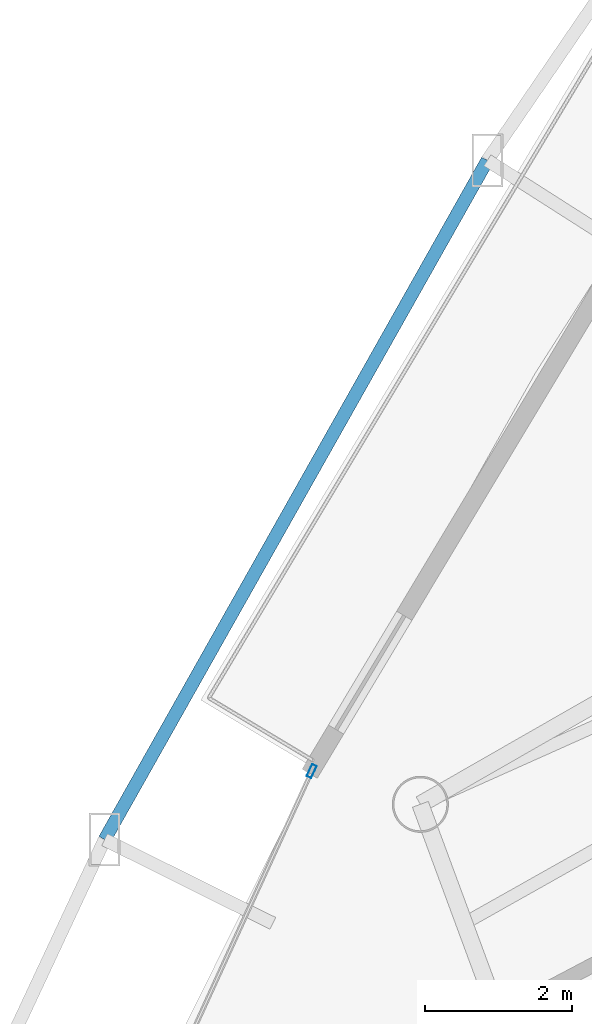
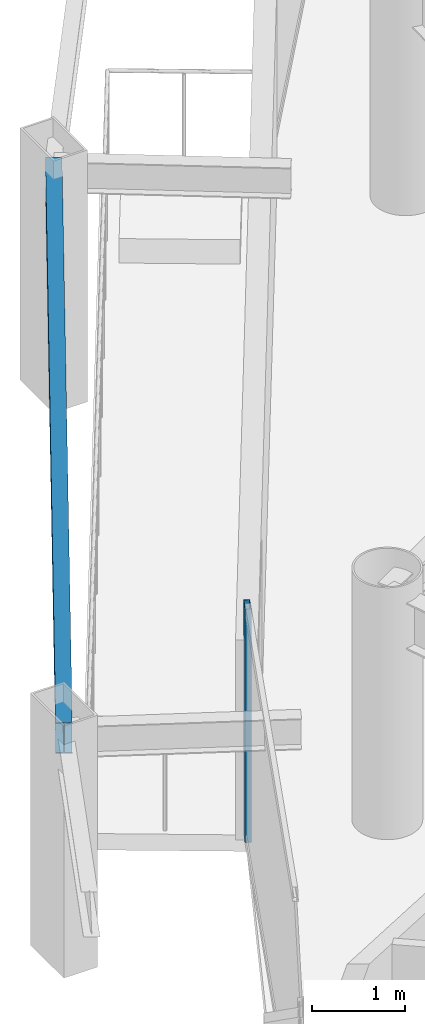
# One storey, part 10 of 34: 1 beam, 1 member, 1 element without a shape of its own.
"""IFC4 building model written with IfcOpenShell, lengths in metres."""

import ifcopenshell
import ifcopenshell.guid

model = None  # the IFC model being written
_history = None  # IfcOwnerHistory: only IFC2X3 demands one
_inside = {}  # id of a spatial element -> (the spatial element, [elements in it])
_under = {}  # id of a project, library or spatial element -> (it, [spatial elements below it])
_declared = {}  # id of a project -> (the project, [libraries it declares])
_typed = {}  # id of a type object -> (the type object, [elements of that type])
_made_of = {}  # id of a material, layer set ... -> (it, [elements and type objects made of it])


def new_model(schema):
    """Start an empty IFC model of exactly this schema.

    Asked for "IFC4X3", IfcOpenShell would pick the latest addendum, in which some entities
    have other attributes; the version numbers below select the first issue.
    IFC2X3 requires an IfcOwnerHistory on every rooted entity: one is made here for all.
    """
    global model, _history
    if schema == "IFC4X3":
        model = ifcopenshell.file(schema_version=(4, 3, 0, 0))
    else:
        model = ifcopenshell.file(schema=schema)
    _inside.clear()
    _under.clear()
    _declared.clear()
    _typed.clear()
    _made_of.clear()
    _history = None
    if model.schema == "IFC2X3":
        org = make("IfcOrganization", Name="unknown")
        user = make(
            "IfcPersonAndOrganization",
            ThePerson=make("IfcPerson", FamilyName="unknown"),
            TheOrganization=org,
        )
        app = make(
            "IfcApplication",
            ApplicationDeveloper=org,
            Version="unknown",
            ApplicationFullName="unknown",
            ApplicationIdentifier="unknown",
        )
        _history = make(
            "IfcOwnerHistory",
            OwningUser=user,
            OwningApplication=app,
            ChangeAction="ADDED",
            CreationDate=0,
        )
    return model


def make(cls, **values):
    """One entity of the class cls with the attributes given. An attribute that is None is left unset."""
    return model.create_entity(
        cls, **{name: value for name, value in values.items() if value is not None}
    )


def rooted(cls, **values):
    """An entity with a GlobalId (a new one), such as an element, a storey or a relation."""
    return make(cls, GlobalId=ifcopenshell.guid.new(), OwnerHistory=_history, **values)


def si_unit(unit_type, name, prefix=None):
    """IfcSIUnit, for example si_unit("LENGTHUNIT", "METRE", prefix="MILLI")."""
    return make("IfcSIUnit", UnitType=unit_type, Prefix=prefix, Name=name)


def assignment(units):
    """IfcUnitAssignment: the units of a project."""
    return None if units is None else make("IfcUnitAssignment", Units=units)


def point(xyz):
    """IfcCartesianPoint."""
    return None if xyz is None else make("IfcCartesianPoint", Coordinates=xyz)


def direction(xyz):
    """IfcDirection."""
    return None if xyz is None else make("IfcDirection", DirectionRatios=xyz)


def frame(location, z_axis=None, x_axis=None):
    """IfcAxis2Placement3D, a coordinate frame: its origin and axes. An axis left out is left unset."""
    return make(
        "IfcAxis2Placement3D",
        Location=point(location),
        Axis=direction(z_axis),
        RefDirection=direction(x_axis),
    )


def frame_2d(location, x_axis=None):
    """IfcAxis2Placement2D, a coordinate frame in the plane: its origin and x axis."""
    return make(
        "IfcAxis2Placement2D", Location=point(location), RefDirection=direction(x_axis)
    )


def origin():
    """The frame at (0, 0, 0) with its axes left unset."""
    return frame((0.0, 0.0, 0.0))


def origin_2d():
    """The frame at (0, 0) in the plane with its x axis left unset."""
    return frame_2d((0.0, 0.0))


def place(relative_to, where):
    """IfcLocalPlacement: puts the frame where relative to a parent placement (None: the world)."""
    return make(
        "IfcLocalPlacement", PlacementRelTo=relative_to, RelativePlacement=where
    )


def context(
    kind, dimensions, precision=None, world=None, true_north=None, identifier=None
):
    """IfcGeometricRepresentationContext, for example the 3D "Model" context."""
    return make(
        "IfcGeometricRepresentationContext",
        ContextIdentifier=identifier,
        ContextType=kind,
        CoordinateSpaceDimension=dimensions,
        Precision=precision,
        WorldCoordinateSystem=world,
        TrueNorth=true_north,
    )


def subcontext(parent, identifier, kind, view, scale=None):
    """IfcGeometricRepresentationSubContext, for example "Body" below "Model"."""
    return make(
        "IfcGeometricRepresentationSubContext",
        ContextIdentifier=identifier,
        ContextType=kind,
        ParentContext=parent,
        TargetScale=scale,
        TargetView=view,
    )


def project(units=None, contexts=None):
    """IfcProject with its units and contexts."""
    return rooted(
        "IfcProject",
        Name="project",
        RepresentationContexts=contexts,
        UnitsInContext=assignment(units),
    )


def spatial(cls, under=None, at=None, **own):
    """A site, building, storey or space (cls), placed at a placement, below another one or the project."""
    s = rooted(cls, ObjectPlacement=at, **own)
    if under is not None:
        _under.setdefault(under.id(), (under, []))[1].append(s)
    return s


def profile(cls, at=None, kind="AREA", **sizes):
    """A parametric profile (cls). Its sizes go by their IFC names, for example OverallWidth=200.0."""
    return make(cls, ProfileType=kind, Position=at, **sizes)


def hollow_rectangle(**sizes):
    """IfcRectangleHollowProfileDef."""
    return profile("IfcRectangleHollowProfileDef", **sizes)


def i_section(**sizes):
    """IfcIShapeProfileDef."""
    return profile("IfcIShapeProfileDef", **sizes)


def extrude(swept, where, along, depth):
    """IfcExtrudedAreaSolid: the profile swept, set in the frame where, extruded along a direction by depth."""
    return make(
        "IfcExtrudedAreaSolid",
        SweptArea=swept,
        Position=where,
        ExtrudedDirection=direction(along),
        Depth=depth,
    )


def shape(context_of_items, identifier, shape_type, items):
    """IfcShapeRepresentation: the items that make up one representation, for example the "Body"."""
    return make(
        "IfcShapeRepresentation",
        ContextOfItems=context_of_items,
        RepresentationIdentifier=identifier,
        RepresentationType=shape_type,
        Items=items,
    )


def material(Name=None, Category=None):
    """IfcMaterial."""
    return make("IfcMaterial", Name=Name, Category=Category)


def layer(
    of_material, thickness, ventilated=None, Name=None, Category=None, Priority=None
):
    """IfcMaterialLayer: one layer of a wall or slab, of a material (None: an air gap)."""
    return make(
        "IfcMaterialLayer",
        Material=of_material,
        LayerThickness=thickness,
        IsVentilated=ventilated,
        Name=Name,
        Category=Category,
        Priority=Priority,
    )


def layer_set(layers, Name=None):
    """IfcMaterialLayerSet."""
    return make("IfcMaterialLayerSet", MaterialLayers=layers, LayerSetName=Name)


def material_profile(
    of_material, cross_section, Name=None, Category=None, Priority=None
):
    """IfcMaterialProfile: a cross section and its material."""
    return make(
        "IfcMaterialProfile",
        Name=Name,
        Material=of_material,
        Profile=cross_section,
        Priority=Priority,
        Category=Category,
    )


def profile_set(profiles, Name=None, composite=None):
    """IfcMaterialProfileSet."""
    return make(
        "IfcMaterialProfileSet",
        Name=Name,
        MaterialProfiles=profiles,
        CompositeProfile=composite,
    )


def made_of(thing, what):
    """Note that an element or type object is made of a material, layer set ...; save() writes the relation."""
    if what is not None:
        _made_of.setdefault(what.id(), (what, []))[1].append(thing)
    return thing


def type_object(cls, material=None, **own):
    """A type object (cls), such as IfcWallType, which elements share."""
    return made_of(rooted(cls, **own), material)


def element(
    cls,
    number,
    at=None,
    inside=None,
    cuts=None,
    type_object=None,
    material=None,
    context=None,
    identifier="Body",
    shape_type=None,
    held_by="IfcProductDefinitionShape",
    body=None,
    shapes=None,
    **own,
):
    """One element of the class cls, such as IfcWall. Its Tag is "e" and its number.

    at: its placement. inside: the storey or other place that contains it. cuts: it is an
    opening in that element (IfcRelVoidsElement). A single representation is given by context,
    identifier, shape_type and body (its items); several are given by shapes. held_by: the class
    of the entity that holds the representations. save() writes the other relations.
    """
    e = rooted(cls, Tag="e%d" % number, ObjectPlacement=at, **own)
    if body is not None:
        shapes = [shape(context, identifier, shape_type, body)]
    if shapes is not None:
        e.Representation = make(held_by, Representations=shapes)
    if inside is not None:
        _inside.setdefault(inside.id(), (inside, []))[1].append(e)
    if cuts is not None:
        rooted(
            "IfcRelVoidsElement", RelatingBuildingElement=cuts, RelatedOpeningElement=e
        )
    if type_object is not None:
        _typed.setdefault(type_object.id(), (type_object, []))[1].append(e)
    return made_of(e, material)


def aggregate(whole, parts):
    """IfcRelAggregates: a whole, such as a stair, and the parts it consists of."""
    return rooted("IfcRelAggregates", RelatingObject=whole, RelatedObjects=parts)


def save(model, path):
    """Write the relations noted so far, then the file.

    IfcRelAggregates (storeys below a building ...), IfcRelContainedInSpatialStructure (elements
    in a storey), IfcRelDefinesByType, IfcRelAssociatesMaterial and IfcRelDeclares: one each for
    every whole, place, type object, material and project.
    """
    for whole, parts in _under.values():
        aggregate(whole, parts)
    for where, things in _inside.values():
        rooted(
            "IfcRelContainedInSpatialStructure",
            RelatedElements=things,
            RelatingStructure=where,
        )
    for kind, things in _typed.values():
        rooted("IfcRelDefinesByType", RelatedObjects=things, RelatingType=kind)
    for what, things in _made_of.values():
        rooted("IfcRelAssociatesMaterial", RelatedObjects=things, RelatingMaterial=what)
    for by, libraries in _declared.values():
        rooted("IfcRelDeclares", RelatingContext=by, RelatedDefinitions=libraries)
    model.write(path)


model = new_model("IFC4")

# Units and contexts
model_context = context("Model", 3, precision=1e-05, world=origin(), true_north=direction((0.0, 1.0)))
body_context = subcontext(model_context, "Body", "Model", "MODEL_VIEW")
ifc_project = project(units=[si_unit("LENGTHUNIT", "METRE"), si_unit("AREAUNIT", "SQUARE_METRE"), si_unit("VOLUMEUNIT", "CUBIC_METRE"), si_unit("PLANEANGLEUNIT", "RADIAN"), si_unit("MASSUNIT", "GRAM", prefix="KILO")], contexts=[model_context])

# Site, building, storey
site_placement = place(None, origin())
site = spatial("IfcSite", under=ifc_project, at=site_placement, CompositionType="ELEMENT")
building_placement = place(site_placement, origin())
building = spatial("IfcBuilding", under=site, at=building_placement, Name="Orvanel Arch Residences", CompositionType="ELEMENT")
storey_placement = place(building_placement, frame((0.0, 0.0, 74.14990234375)))
storey = spatial("IfcBuildingStorey", under=building, at=storey_placement, Name="L20", CompositionType="ELEMENT", Elevation=74.14990234375)

# Curtain wall, member
ifc_material_1 = material(Name="Bronze-anodised aluminium AA6063-T6", Category="aluminium")
ifc_layer = layer(ifc_material_1, 0.179931640625)
ifc_layer_set = layer_set([ifc_layer], Name="Bronze-anodised aluminium AA6063-T6")
curtain_wall_type = type_object("IfcCurtainWallType", Name="CW2-LOW-SYS", PredefinedType="NOTDEFINED", material=ifc_layer_set)
curtain_wall_placement = place(storey_placement, origin())
curtain_wall = element("IfcCurtainWall", 1, at=curtain_wall_placement, inside=storey, type_object=curtain_wall_type, Name="L20 CW2-LOW-SYS Unitised Curtain Wall", PredefinedType="NOTDEFINED")
ifc_material_profile_1 = material_profile(ifc_material_1, hollow_rectangle(XDim=0.070068359375, YDim=0.179931640625, WallThickness=0.00439453125, at=origin_2d()), Name="ALU180x70x4.5")
ifc_profile_set_1 = profile_set([ifc_material_profile_1], Name="Bronze-anodised aluminium AA6063-T6")
member_type = type_object("IfcMemberType", Name="MUL-180x70", PredefinedType="MULLION", material=ifc_profile_set_1)
member_placement = place(storey_placement, frame((13.1875, 24.7060546875, 0.0), z_axis=(0.0, 0.0, 1.0), x_axis=(0.909616944848, -0.415447967434, 0.0)))
member = element("IfcMember", 2, at=member_placement, type_object=member_type, Name="CW-S2 mullion 1", PredefinedType="MULLION", context=body_context, shape_type="SweptSolid", body=[
    extrude(hollow_rectangle(XDim=0.070068359375, YDim=0.179931640625, WallThickness=0.00439453125, at=origin_2d()), origin(), (0.0, 0.0, 1.0), 3.06005859375),
])
aggregate(curtain_wall, [member])

# Beam
ifc_material_2 = material(Name="Structural steel AS/NZS 3679.1 Grade 300 (300 MPa)", Category="steel")
ifc_material_profile_2 = material_profile(ifc_material_2, i_section(OverallWidth=0.177978515625, OverallDepth=0.406005859375, WebThickness=0.0078125, FlangeThickness=0.0126953125, at=origin_2d()), Name="410UB59.7")
ifc_profile_set_2 = profile_set([ifc_material_profile_2], Name="Structural steel AS/NZS 3679.1 Grade 300 (300 MPa)")
beam_type = type_object("IfcBeamType", Name="OB-410UB-EXT", PredefinedType="SPANDREL", material=ifc_profile_set_2)
beam_placement = place(storey_placement, frame((15.571044921875, 32.991943359375, 2.857177734375), z_axis=(-0.490962423803, -0.871180749566, 0.0), x_axis=(0.871180749566, -0.490962423803, 0.0)))
element("IfcBeam", 3, at=beam_placement, inside=storey, type_object=beam_type, Name="L20 Outer Perimeter Floor Ring Beam 02", PredefinedType="SPANDREL", context=body_context, shape_type="SweptSolid", body=[
    extrude(i_section(OverallWidth=0.177978515625, OverallDepth=0.406005859375, WebThickness=0.0078125, FlangeThickness=0.0126953125, at=origin_2d()), origin(), (0.0, 0.0, 1.0), 10.577392578125),
])

save(model, "model.ifc")
